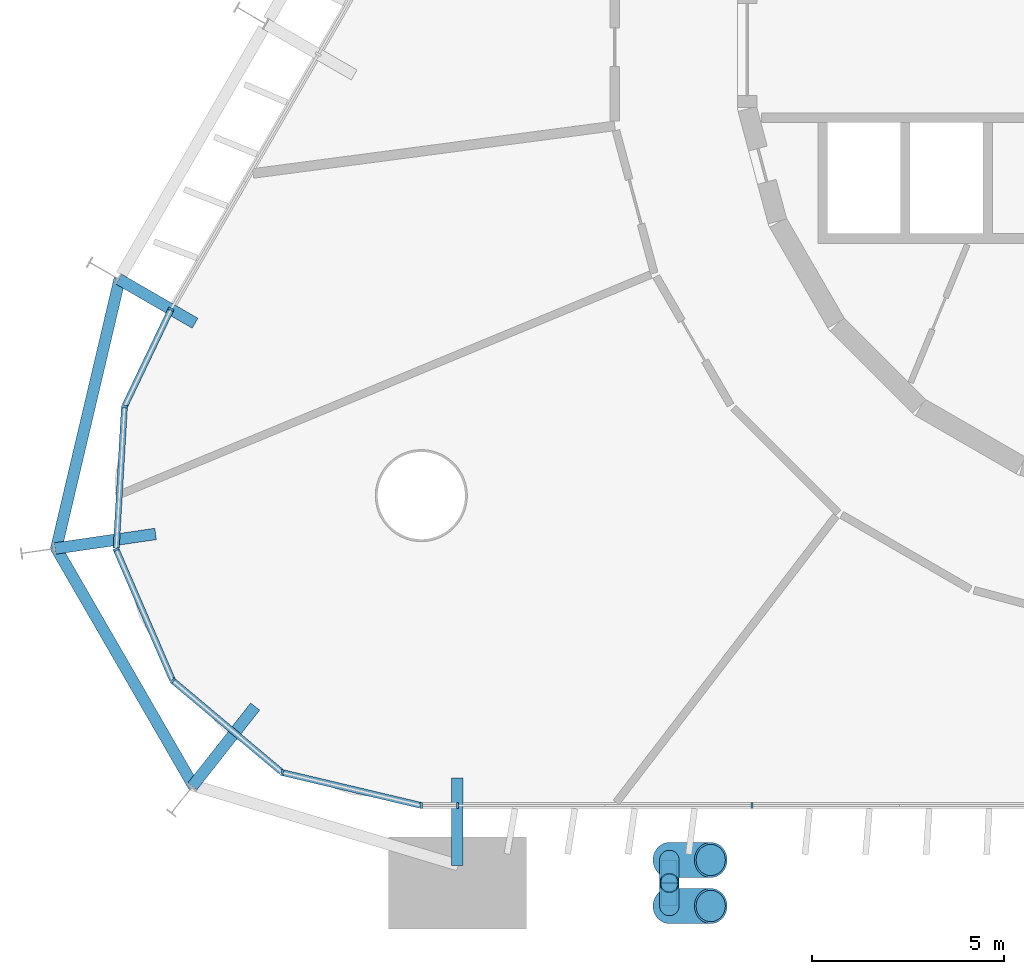
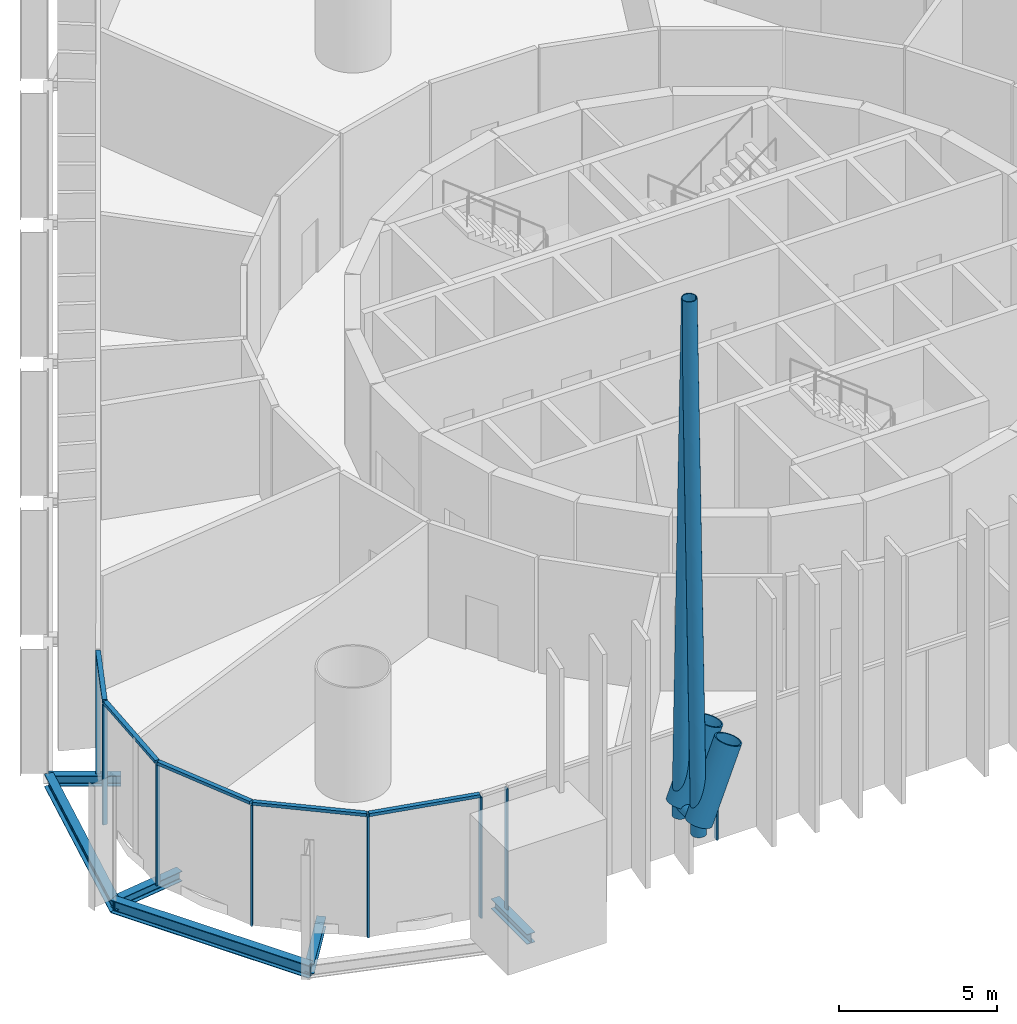
# One storey, part 3 of 18: 18 members, 6 beams, 2 elements without a shape of their own.
"""IFC4 building model written with IfcOpenShell, lengths in metres."""

from ifc_helpers import new_model, si_unit, direction, frame, origin, origin_2d, place, context, subcontext, project, spatial, rectangle, hollow_circle, i_section, extrude, material, layer, layer_set, material_profile, profile_set, type_object, element, aggregate, save


model = new_model("IFC4")

# Units and contexts
model_context = context("Model", 3, precision=1e-05, world=origin(), true_north=direction((0.0, 1.0)))
body_context = subcontext(model_context, "Body", "Model", "MODEL_VIEW")
ifc_project = project(units=[si_unit("LENGTHUNIT", "METRE"), si_unit("AREAUNIT", "SQUARE_METRE"), si_unit("VOLUMEUNIT", "CUBIC_METRE"), si_unit("PLANEANGLEUNIT", "RADIAN"), si_unit("MASSUNIT", "GRAM", prefix="KILO")], contexts=[model_context])

# Site, building, storey
site_placement = place(None, origin())
site = spatial("IfcSite", under=ifc_project, at=site_placement, CompositionType="ELEMENT")
building_placement = place(site_placement, origin())
building = spatial("IfcBuilding", under=site, at=building_placement, Name="Spindle Arch Residences", CompositionType="ELEMENT")
storey_placement = place(building_placement, frame((0.0, 0.0, 9.0)))
storey = spatial("IfcBuildingStorey", under=building, at=storey_placement, Name="L01", CompositionType="ELEMENT", Elevation=9.0)

# Members
ifc_material_1 = material(Name="Steel S355J2, intumescent coating R 240", Category="steel")
ifc_material_profile_1 = material_profile(ifc_material_1, hollow_circle(Radius=0.25390625, WallThickness=0.02490234375, at=origin_2d()), Name="CHS 508x25")
ifc_profile_set_1 = profile_set([ifc_material_profile_1], Name="Steel S355J2, intumescent coating R 240")
member_type_1 = type_object("IfcMemberType", Name="Arch hanger CHS 508x25", PredefinedType="BRACE", material=ifc_profile_set_1)
for number, where, z_axis, x_axis, name in (
    (1, (-13.676513671875, -21.72998046875, 22.5419921875), (0.0, -0.029455418641, -0.99956609502), (1.0, 0.0, 0.0), "Arch hanger 1.4"),
    (2, (-13.676513671875, -21.72998046875, 22.5419921875), (0.0, 0.029467396601, -0.999565741979), (-1.0, 0.0, 0.0), "Arch hanger 2.4"),
):
    element("IfcMember", number, at=place(storey_placement, frame(where, z_axis=z_axis, x_axis=x_axis)), inside=storey, type_object=member_type_1, Name=name, PredefinedType="BRACE", context=body_context, shape_type="SweptSolid", body=[
        extrude(hollow_circle(Radius=0.25390625, WallThickness=0.02490234375, at=origin_2d()), origin(), (0.0, 0.0, 1.0), 20.36474609375),
    ])
ifc_material_2 = material(Name="Steel S355J2, intumescent coating R 240", Category="steel")
ifc_material_profile_2 = material_profile(ifc_material_2, hollow_circle(Radius=0.45703125, WallThickness=0.050048828125, at=origin_2d()), Name="CHS 914x50")
ifc_profile_set_2 = profile_set([ifc_material_profile_2], Name="Steel S355J2, intumescent coating R 240")
member_type_2 = type_object("IfcMemberType", Name="Arch rib CHS 914x50", PredefinedType="MEMBER", material=ifc_profile_set_2)
for number, where, z_axis, x_axis, name in (
    (3, (-13.676513671875, -22.329833984375, 2.643310546875), (0.358582102982, 0.0, 0.933498192511), (0.0, 1.0, 0.0), "Arch rib 1.5"),
    (4, (-13.676513671875, -21.1298828125, 2.643310546875), (0.358582102982, 0.0, 0.933498192511), (0.0, 1.0, 0.0), "Arch rib 2.5"),
):
    element("IfcMember", number, at=place(storey_placement, frame(where, z_axis=z_axis, x_axis=x_axis)), inside=storey, type_object=member_type_2, Name=name, PredefinedType="MEMBER", context=body_context, shape_type="SweptSolid", body=[
        extrude(hollow_circle(Radius=0.45703125, WallThickness=0.050048828125, at=origin_2d()), origin(), (0.0, 0.0, 1.0), 3.0087890625),
    ])
ifc_material_3 = material(Name="Steel S355J2, intumescent coating R 240", Category="steel")
ifc_material_profile_3 = material_profile(ifc_material_3, hollow_circle(Radius=0.203125, WallThickness=0.02001953125, at=origin_2d()), Name="CHS 406.4x20")
ifc_profile_set_3 = profile_set([ifc_material_profile_3], Name="Steel S355J2, intumescent coating R 240")
member_type_3 = type_object("IfcMemberType", Name="Arch tie CHS 406.4x20", PredefinedType="MEMBER", material=ifc_profile_set_3)
member_1_placement = place(storey_placement, frame((-13.676513671875, -22.329833984375, 2.643310546875), z_axis=(0.0, 1.0, 0.0), x_axis=(-1.0, 0.0, 0.0)))
element("IfcMember", 5, at=member_1_placement, inside=storey, type_object=member_type_3, Name="Arch tie 4", PredefinedType="MEMBER", context=body_context, shape_type="SweptSolid", body=[
    extrude(hollow_circle(Radius=0.203125, WallThickness=0.02001953125, at=origin_2d()), origin(), (0.0, 0.0, 1.0), 1.199951171875),
])

# Curtain wall, members
ifc_material_4 = material(Name="Aluminium bronze unitised frame with tinted glass", Category="aluminium")
ifc_layer_1 = layer(ifc_material_4, 0.159912109375)
ifc_layer_set_1 = layer_set([ifc_layer_1], Name="CW-D corner wall on the fillet arcs")
curtain_wall_type_1 = type_object("IfcCurtainWallType", Name="CW-D corner wall on the fillet arcs", PredefinedType="NOTDEFINED", material=ifc_layer_set_1)
curtain_wall_1_placement = place(storey_placement, origin())
curtain_wall_1 = element("IfcCurtainWall", 6, at=curtain_wall_1_placement, inside=storey, type_object=curtain_wall_type_1, Name="CW-D L01 run 5", PredefinedType="NOTDEFINED")
ifc_material_5 = material(Name="Aluminium bronze anodised mullion", Category="aluminium")
ifc_material_profile_4 = material_profile(ifc_material_5, rectangle(XDim=0.159912109375, YDim=0.06005859375, at=origin_2d()), Name="MU 60x160")
ifc_profile_set_4 = profile_set([ifc_material_profile_4], Name="Aluminium bronze anodised mullion")
member_type_4 = type_object("IfcMemberType", Name="Bronze mullion 60x160", PredefinedType="MULLION", material=ifc_profile_set_4)
member_2_placement = place(storey_placement, frame((-26.66943359375, -6.77294921875, -0.3798828125), z_axis=(0.0, 0.0, 1.0), x_axis=(0.902111889092, -0.431502189519, 0.0)))
member_2 = element("IfcMember", 7, at=member_2_placement, type_object=member_type_4, Name="CW-D mullion 00", PredefinedType="MULLION", context=body_context, shape_type="SweptSolid", body=[
    extrude(rectangle(XDim=0.159912109375, YDim=0.06005859375, at=origin_2d()), origin(), (0.0, 0.0, 1.0), 4.679931640625),
])
member_3_placement = place(storey_placement, frame((-27.884033203125, -9.3125, -0.3798828125), z_axis=(0.0, 0.0, 1.0), x_axis=(0.99830815821, -0.058144829968, 0.0)))
member_3 = element("IfcMember", 8, at=member_3_placement, type_object=member_type_4, Name="CW-D mullion 01", PredefinedType="MULLION", context=body_context, shape_type="SweptSolid", body=[
    extrude(rectangle(XDim=0.159912109375, YDim=0.06005859375, at=origin_2d()), origin(), (0.0, 0.0, 1.0), 4.679931640625),
])
member_4_placement = place(storey_placement, frame((-28.100830078125, -13.032958984375, -0.3798828125), z_axis=(0.0, 0.0, 1.0), x_axis=(0.918216106599, 0.396079766691, 0.0)))
member_4 = element("IfcMember", 9, at=member_4_placement, type_object=member_type_4, Name="CW-D mullion 02", PredefinedType="MULLION", context=body_context, shape_type="SweptSolid", body=[
    extrude(rectangle(XDim=0.159912109375, YDim=0.06005859375, at=origin_2d()), origin(), (0.0, 0.0, 1.0), 4.679931640625),
])
member_5_placement = place(storey_placement, frame((-26.624755859375, -16.454833984375, -0.3798828125), z_axis=(0.0, 0.0, 1.0), x_axis=(0.64278760716, 0.766044445239, 0.0)))
member_5 = element("IfcMember", 10, at=member_5_placement, type_object=member_type_4, Name="CW-D mullion 03", PredefinedType="MULLION", context=body_context, shape_type="SweptSolid", body=[
    extrude(rectangle(XDim=0.159912109375, YDim=0.06005859375, at=origin_2d()), origin(), (0.0, 0.0, 1.0), 4.679931640625),
])
member_6_placement = place(storey_placement, frame((-23.769775390625, -18.850341796875, -0.3798828125), z_axis=(0.0, 0.0, 1.0), x_axis=(0.230615868852, 0.973044871028, 0.0)))
member_6 = element("IfcMember", 11, at=member_6_placement, type_object=member_type_4, Name="CW-D mullion 04", PredefinedType="MULLION", context=body_context, shape_type="SweptSolid", body=[
    extrude(rectangle(XDim=0.159912109375, YDim=0.06005859375, at=origin_2d()), origin(), (0.0, 0.0, 1.0), 4.679931640625),
])
member_7_placement = place(storey_placement, frame((-20.1435546875, -19.7099609375, -0.3798828125), z_axis=(0.0, 0.0, 1.0), x_axis=(0.0, 1.0, 0.0)))
member_7 = element("IfcMember", 12, at=member_7_placement, type_object=member_type_4, Name="CW-D mullion 05", PredefinedType="MULLION", context=body_context, shape_type="SweptSolid", body=[
    extrude(rectangle(XDim=0.159912109375, YDim=0.06005859375, at=origin_2d()), origin(), (0.0, 0.0, 1.0), 4.679931640625),
])

ifc_material_6 = material(Name="Aluminium bronze unitised frame with tinted glass", Category="aluminium")
ifc_layer_2 = layer(ifc_material_6, 0.159912109375)
ifc_layer_set_2 = layer_set([ifc_layer_2], Name="CW-B amenity podium glazed wall")
curtain_wall_type_2 = type_object("IfcCurtainWallType", Name="CW-B amenity podium glazed wall", PredefinedType="NOTDEFINED", material=ifc_layer_set_2)
curtain_wall_2_placement = place(storey_placement, origin())
curtain_wall_2 = element("IfcCurtainWall", 13, at=curtain_wall_2_placement, inside=storey, type_object=curtain_wall_type_2, Name="CW-B L01 run 6", PredefinedType="NOTDEFINED")
member_8_placement = place(storey_placement, frame((-19.2001953125, -19.7099609375, -0.3798828125), z_axis=(0.0, 0.0, 1.0), x_axis=(0.0, 1.0, 0.0)))
member_8 = element("IfcMember", 14, at=member_8_placement, type_object=member_type_4, Name="CW-B mullion 21", PredefinedType="MULLION", context=body_context, shape_type="SweptSolid", body=[
    extrude(rectangle(XDim=0.159912109375, YDim=0.06005859375, at=origin_2d()), origin(), (0.0, 0.0, 1.0), 4.679931640625),
])
member_9_placement = place(storey_placement, frame((-11.52001953125, -19.7099609375, -0.3798828125), z_axis=(0.0, 0.0, 1.0), x_axis=(0.0, 1.0, 0.0)))
member_9 = element("IfcMember", 15, at=member_9_placement, type_object=member_type_4, Name="CW-B mullion 22", PredefinedType="MULLION", context=body_context, shape_type="SweptSolid", body=[
    extrude(rectangle(XDim=0.159912109375, YDim=0.06005859375, at=origin_2d()), origin(), (0.0, 0.0, 1.0), 4.679931640625),
])
aggregate(curtain_wall_2, [member_8, member_9])

# Member
ifc_material_7 = material(Name="Aluminium bronze anodised transom", Category="aluminium")
ifc_material_profile_5 = material_profile(ifc_material_7, rectangle(XDim=0.159912109375, YDim=0.1201171875, at=origin_2d()), Name="TR 120x160")
ifc_profile_set_5 = profile_set([ifc_material_profile_5], Name="Aluminium bronze anodised transom")
member_type_5 = type_object("IfcMemberType", Name="Bronze transom 120x160", PredefinedType="USERDEFINED", material=ifc_profile_set_5)
member_10_placement = place(storey_placement, frame((-26.682373046875, -6.800048828125, 4.360107421875), z_axis=(-0.43147744699, -0.902123723631, 0.0), x_axis=(0.902123723631, -0.43147744699, 0.0)))
member_10 = element("IfcMember", 16, at=member_10_placement, type_object=member_type_5, Name="CW-D transom 00", ObjectType="TRANSOM", PredefinedType="USERDEFINED", context=body_context, shape_type="SweptSolid", body=[
    extrude(rectangle(XDim=0.159912109375, YDim=0.1201171875, at=origin_2d()), origin(), (0.0, 0.0, 1.0), 2.7548828125),
])

member_11_placement = place(storey_placement, frame((-27.885986328125, -9.342529296875, 4.360107421875), z_axis=(-0.058128716156, -0.998309096602, 0.0), x_axis=(0.998309096602, -0.058128716156, 0.0)))
member_11 = element("IfcMember", 17, at=member_11_placement, type_object=member_type_5, Name="CW-D transom 01", ObjectType="TRANSOM", PredefinedType="USERDEFINED", context=body_context, shape_type="SweptSolid", body=[
    extrude(rectangle(XDim=0.159912109375, YDim=0.1201171875, at=origin_2d()), origin(), (0.0, 0.0, 1.0), 3.66650390625),
])

member_12_placement = place(storey_placement, frame((-28.0888671875, -13.060546875, 4.360107421875), z_axis=(0.39603167212, -0.918236851078, 0.0), x_axis=(0.918236851078, 0.39603167212, 0.0)))
member_12 = element("IfcMember", 18, at=member_12_placement, type_object=member_type_5, Name="CW-D transom 02", ObjectType="TRANSOM", PredefinedType="USERDEFINED", context=body_context, shape_type="SweptSolid", body=[
    extrude(rectangle(XDim=0.159912109375, YDim=0.1201171875, at=origin_2d()), origin(), (0.0, 0.0, 1.0), 3.666748046875),
])

member_13_placement = place(storey_placement, frame((-26.601806640625, -16.47412109375, 4.360107421875), z_axis=(0.766006453075, -0.642832881741, 0.0), x_axis=(0.642832881741, 0.766006453075, 0.0)))
member_13 = element("IfcMember", 19, at=member_13_placement, type_object=member_type_5, Name="CW-D transom 03", ObjectType="TRANSOM", PredefinedType="USERDEFINED", context=body_context, shape_type="SweptSolid", body=[
    extrude(rectangle(XDim=0.159912109375, YDim=0.1201171875, at=origin_2d()), origin(), (0.0, 0.0, 1.0), 3.666748046875),
])

member_14_placement = place(storey_placement, frame((-23.74072265625, -18.857421875, 4.360107421875), z_axis=(0.973053560164, -0.230579203425, 0.0), x_axis=(0.230579203425, 0.973053560164, 0.0)))
member_14 = element("IfcMember", 20, at=member_14_placement, type_object=member_type_5, Name="CW-D transom 04", ObjectType="TRANSOM", PredefinedType="USERDEFINED", context=body_context, shape_type="SweptSolid", body=[
    extrude(rectangle(XDim=0.159912109375, YDim=0.1201171875, at=origin_2d()), origin(), (0.0, 0.0, 1.0), 3.666748046875),
])

aggregate(curtain_wall_1, [member_2, member_10, member_3, member_11, member_4, member_12, member_5, member_13, member_6, member_14, member_7])

# Beams
ifc_material_8 = material(Name="Steel S460ML, intumescent coating R 120", Category="steel")
ifc_material_profile_6 = material_profile(ifc_material_8, i_section(OverallWidth=0.300048828125, OverallDepth=0.5, WebThickness=0.014404296875, FlangeThickness=0.028076171875, FilletRadius=0.027099609375, at=origin_2d()), Name="HEB 500")
ifc_profile_set_6 = profile_set([ifc_material_profile_6], Name="Steel S460ML, intumescent coating R 120")
beam_type_1 = type_object("IfcBeamType", Name="Exoskeleton edge beam HEB 500", PredefinedType="BEAM", material=ifc_profile_set_6)
beam_1_placement = place(storey_placement, frame((-28.006591796875, -5.974609375, -0.6298828125), z_axis=(-0.229185730541, -0.973382710406, 0.0), x_axis=(0.973382710406, -0.229185730541, 0.0)))
element("IfcBeam", 21, at=beam_1_placement, inside=storey, type_object=beam_type_1, Name="Exoskeleton edge beam 19", PredefinedType="BEAM", context=body_context, shape_type="SweptSolid", body=[
    extrude(i_section(OverallWidth=0.300048828125, OverallDepth=0.5, WebThickness=0.014404296875, FlangeThickness=0.028076171875, FilletRadius=0.027099609375, at=origin_2d()), origin(), (0.0, 0.0, 1.0), 7.25),
])
beam_2_placement = place(storey_placement, frame((-29.685302734375, -12.9609375, -0.6298828125), z_axis=(0.500025200273, -0.866010853911, 0.0), x_axis=(0.866010853911, 0.500025200273, 0.0)))
element("IfcBeam", 22, at=beam_2_placement, inside=storey, type_object=beam_type_1, Name="Exoskeleton edge beam 20", PredefinedType="BEAM", context=body_context, shape_type="SweptSolid", body=[
    extrude(i_section(OverallWidth=0.300048828125, OverallDepth=0.5, WebThickness=0.014404296875, FlangeThickness=0.028076171875, FilletRadius=0.027099609375, at=origin_2d()), origin(), (0.0, 0.0, 1.0), 7.236572265625),
])
ifc_material_9 = material(Name="Steel S460ML, intumescent coating R 120", Category="steel")
ifc_material_profile_7 = material_profile(ifc_material_9, i_section(OverallWidth=0.300048828125, OverallDepth=0.389892578125, WebThickness=0.010986328125, FlangeThickness=0.01904296875, FilletRadius=0.027099609375, at=origin_2d()), Name="HEA 400")
ifc_profile_set_7 = profile_set([ifc_material_profile_7], Name="Steel S460ML, intumescent coating R 120")
beam_type_2 = type_object("IfcBeamType", Name="Floor outrigger HEA 400", PredefinedType="BEAM", material=ifc_profile_set_7)
beam_3_placement = place(storey_placement, frame((-28.029052734375, -5.98779296875, -0.574951171875), z_axis=(0.866001280077, -0.50004178116, 0.0), x_axis=(0.50004178116, 0.866001280077, 0.0)))
element("IfcBeam", 23, at=beam_3_placement, inside=storey, type_object=beam_type_2, Name="Floor outrigger 19", PredefinedType="BEAM", context=body_context, shape_type="SweptSolid", body=[
    extrude(i_section(OverallWidth=0.300048828125, OverallDepth=0.389892578125, WebThickness=0.010986328125, FlangeThickness=0.01904296875, FilletRadius=0.027099609375, at=origin_2d()), origin(), (0.0, 0.0, 1.0), 2.294189453125),
])
for number, where, z_axis, x_axis, name in (
    (24, (-29.694580078125, -13.009033203125, -0.574951171875), (0.989738348309, 0.142891573883, 0.0), (-0.142891573883, 0.989738348309, 0.0), "Floor outrigger 20"),
    (25, (-26.11328125, -19.211669921875, -0.574951171875), (0.618586231558, 0.785716917297, 0.0), (-0.785716917297, 0.618586231558, 0.0), "Floor outrigger 21"),
):
    element("IfcBeam", number, at=place(storey_placement, frame(where, z_axis=z_axis, x_axis=x_axis)), inside=storey, type_object=beam_type_2, Name=name, PredefinedType="BEAM", context=body_context, shape_type="SweptSolid", body=[
        extrude(i_section(OverallWidth=0.300048828125, OverallDepth=0.389892578125, WebThickness=0.010986328125, FlangeThickness=0.01904296875, FilletRadius=0.027099609375, at=origin_2d()), origin(), (0.0, 0.0, 1.0), 2.64990234375),
    ])
beam_4_placement = place(storey_placement, frame((-19.2001953125, -21.27978515625, -0.574951171875), z_axis=(0.0, 1.0, 0.0), x_axis=(-1.0, 0.0, 0.0)))
element("IfcBeam", 26, at=beam_4_placement, inside=storey, type_object=beam_type_2, Name="Floor outrigger 22", PredefinedType="BEAM", context=body_context, shape_type="SweptSolid", body=[
    extrude(i_section(OverallWidth=0.300048828125, OverallDepth=0.389892578125, WebThickness=0.010986328125, FlangeThickness=0.01904296875, FilletRadius=0.027099609375, at=origin_2d()), origin(), (0.0, 0.0, 1.0), 2.2939453125),
])

save(model, "model.ifc")
